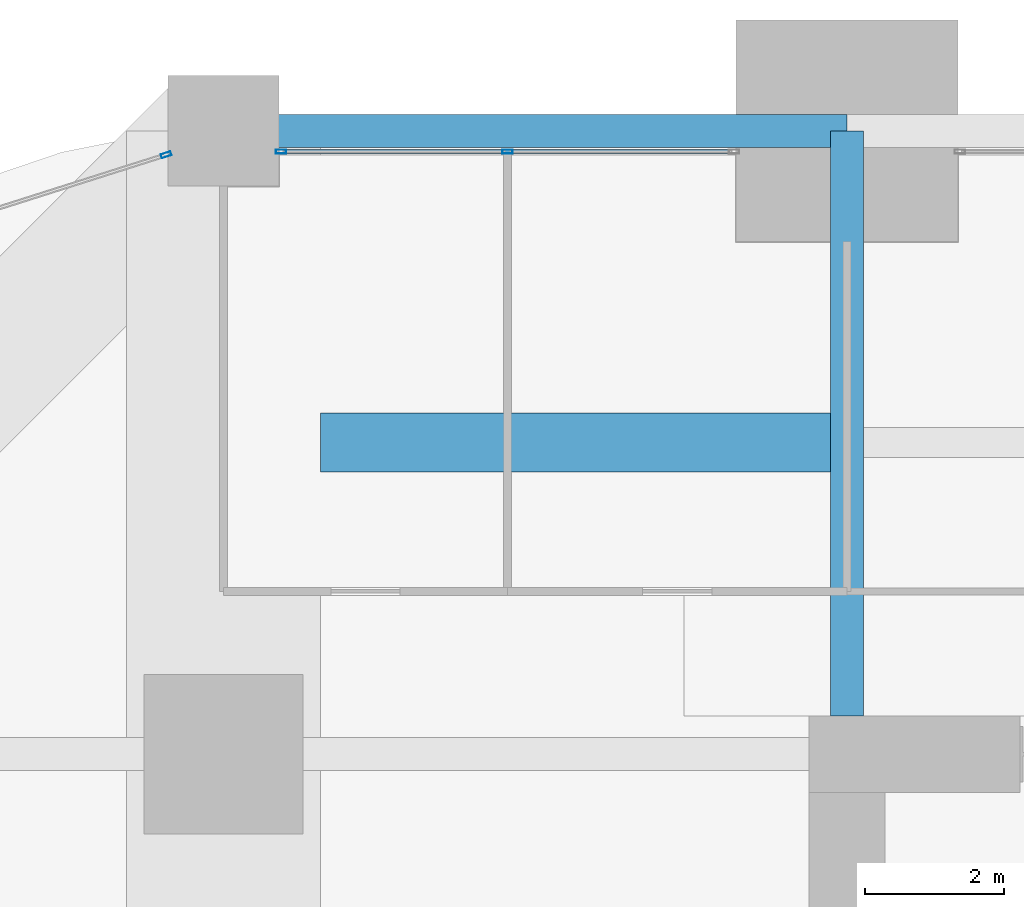
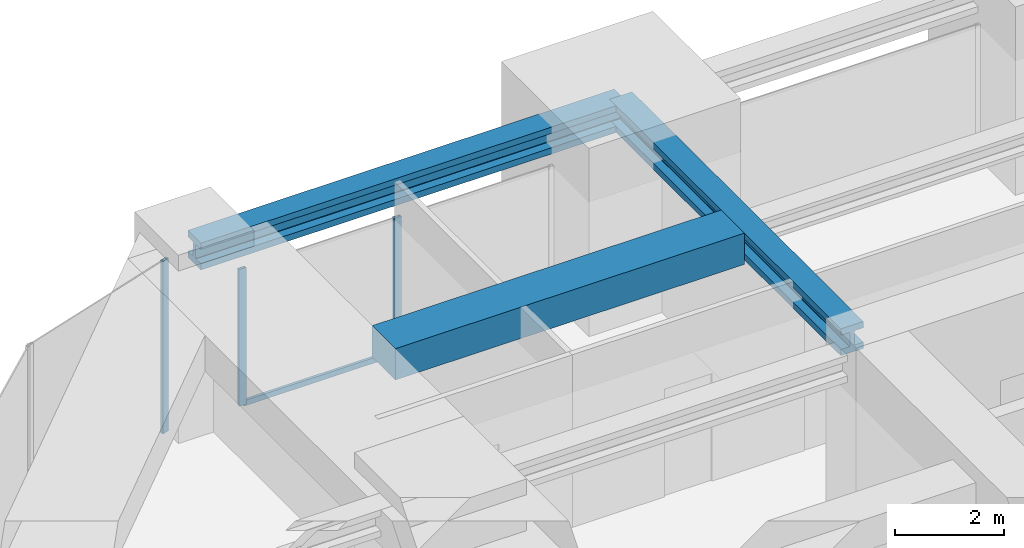
# One storey, part 28 of 39: 4 members, 3 beams, 2 elements without a shape of their own.
"""IFC4 building model written with IfcOpenShell, lengths in metres."""

from ifc_helpers import new_model, si_unit, direction, frame, origin, origin_2d, place, context, subcontext, project, spatial, rectangle, hollow_rectangle, i_section, extrude, material, material_profile, profile_set, type_object, element, aggregate, save


model = new_model("IFC4")

# Units and contexts
model_context = context("Model", 3, precision=1e-05, world=origin(), true_north=direction((0.0, 1.0)))
body_context = subcontext(model_context, "Body", "Model", "MODEL_VIEW")
ifc_project = project(units=[si_unit("LENGTHUNIT", "METRE"), si_unit("AREAUNIT", "SQUARE_METRE"), si_unit("VOLUMEUNIT", "CUBIC_METRE"), si_unit("PLANEANGLEUNIT", "RADIAN"), si_unit("MASSUNIT", "GRAM", prefix="KILO")], contexts=[model_context])

# Site, building, storey
site_placement = place(None, origin())
site = spatial("IfcSite", under=ifc_project, at=site_placement, CompositionType="ELEMENT")
building_placement = place(site_placement, origin())
building = spatial("IfcBuilding", under=site, at=building_placement, Name="Zorevar Civic Tower", CompositionType="ELEMENT")
storey_placement = place(building_placement, frame((0.0, 0.0, 230.199951171875)))
storey = spatial("IfcBuildingStorey", under=building, at=storey_placement, Name="L56", CompositionType="ELEMENT", Elevation=230.199951171875)

# Beams
ifc_material_1 = material(Name="Concrete C50/60", Category="concrete")
ifc_material_profile_1 = material_profile(ifc_material_1, rectangle(XDim=0.85009765625, YDim=0.699951171875, at=origin_2d()), Name="RC 850x700")
ifc_profile_set_1 = profile_set([ifc_material_profile_1], Name="Concrete C50/60")
beam_type_1 = type_object("IfcBeamType", Name="Beam RC 850x700", PredefinedType="BEAM", material=ifc_profile_set_1)
beam_1_placement = place(storey_placement, frame((10.39990234375, 40.5, 3.5), z_axis=(1.0, 0.0, 0.0), x_axis=(0.0, 1.0, 0.0)))
element("IfcBeam", 1, at=beam_1_placement, inside=storey, type_object=beam_type_1, Name="Secondary beam L57", PredefinedType="BEAM", context=body_context, shape_type="SweptSolid", body=[
    extrude(rectangle(XDim=0.85009765625, YDim=0.699951171875, at=origin_2d()), origin(), (0.0, 0.0, 1.0), 7.362060546875),
])
ifc_material_2 = material(Name="Steel S460M (HISTAR 460)", Category="steel")
ifc_material_profile_2 = material_profile(ifc_material_2, i_section(OverallWidth=0.47607421875, OverallDepth=0.60009765625, WebThickness=0.10009765625, FlangeThickness=0.139892578125, FilletRadius=0.014892578125, at=origin_2d()), Name="HD 400x1299")
ifc_profile_set_2 = profile_set([ifc_material_profile_2], Name="Steel S460M (HISTAR 460)")
beam_type_2 = type_object("IfcBeamType", Name="Belt chord HD 400x1299", PredefinedType="BEAM", material=ifc_profile_set_2)
beam_2_placement = place(storey_placement, frame((9.0, 45.0, 3.550048828125), z_axis=(1.0, 0.0, 0.0), x_axis=(0.0, 1.0, 0.0)))
element("IfcBeam", 2, at=beam_2_placement, inside=storey, type_object=beam_type_2, Name="Belt chord L57", PredefinedType="BEAM", context=body_context, shape_type="SweptSolid", body=[
    extrude(i_section(OverallWidth=0.47607421875, OverallDepth=0.60009765625, WebThickness=0.10009765625, FlangeThickness=0.139892578125, FilletRadius=0.014892578125, at=origin_2d()), origin(), (0.0, 0.0, 1.0), 9.0),
])

# Curtain wall, members
ifc_material_3 = material(Name="Dark grey solar-control glass in black aluminium frame", Category="aluminium")
curtain_wall_type = type_object("IfcCurtainWallType", Name="Curtain wall CW4 high zone", PredefinedType="NOTDEFINED", material=ifc_material_3)
curtain_wall_1_placement = place(storey_placement, origin())
curtain_wall_1 = element("IfcCurtainWall", 3, at=curtain_wall_1_placement, inside=storey, type_object=curtain_wall_type, Name="CW4 L56", PredefinedType="NOTDEFINED")
ifc_material_4 = material(Name="Aluminium, black anodised", Category="aluminium")
ifc_material_profile_3 = material_profile(ifc_material_4, hollow_rectangle(XDim=0.06005859375, YDim=0.14990234375, WallThickness=0.00390625, at=origin_2d()), Name="AL 150x60x4")
ifc_profile_set_3 = profile_set([ifc_material_profile_3], Name="Aluminium, black anodised")
member_type_1 = type_object("IfcMemberType", Name="CW4 mullion AL 150x60x4", PredefinedType="MULLION", material=ifc_profile_set_3)
member_1_placement = place(storey_placement, frame((9.830078125, 44.699951171875, 0.0), z_axis=(0.0, 0.0, 1.0), x_axis=(0.0, 1.0, 0.0)))
member_1 = element("IfcMember", 4, at=member_1_placement, type_object=member_type_1, Name="CW4 mullion 1", PredefinedType="MULLION", context=body_context, shape_type="SweptSolid", body=[
    extrude(hollow_rectangle(XDim=0.06005859375, YDim=0.14990234375, WallThickness=0.00390625, at=origin_2d()), origin(), (0.0, 0.0, 1.0), 3.050048828125),
])
member_2_placement = place(storey_placement, frame((13.10009765625, 44.699951171875, 0.06005859375), z_axis=(0.0, 0.0, 1.0), x_axis=(0.0, 1.0, 0.0)))
member_2 = element("IfcMember", 5, at=member_2_placement, type_object=member_type_1, Name="CW4 mullion 2", PredefinedType="MULLION", context=body_context, shape_type="SweptSolid", body=[
    extrude(hollow_rectangle(XDim=0.06005859375, YDim=0.14990234375, WallThickness=0.00390625, at=origin_2d()), origin(), (0.0, 0.0, 1.0), 2.989990234375),
])

# Curtain wall, member
curtain_wall_2_placement = place(storey_placement, origin())
curtain_wall_2 = element("IfcCurtainWall", 6, at=curtain_wall_2_placement, inside=storey, type_object=curtain_wall_type, Name="CW4 L56", PredefinedType="NOTDEFINED")
member_3_placement = place(storey_placement, frame((8.17138671875, 44.654052734375, 0.0), z_axis=(0.0, 0.0, 1.0), x_axis=(0.302858738154, -0.953035458272, 0.0)))
member_3 = element("IfcMember", 7, at=member_3_placement, type_object=member_type_1, Name="CW4 mullion 1", PredefinedType="MULLION", context=body_context, shape_type="SweptSolid", body=[
    extrude(hollow_rectangle(XDim=0.06005859375, YDim=0.14990234375, WallThickness=0.00390625, at=origin_2d()), origin(), (0.0, 0.0, 1.0), 3.85009765625),
])
aggregate(curtain_wall_2, [member_3])

# Member
ifc_material_5 = material(Name="Aluminium, black anodised", Category="aluminium")
ifc_material_profile_4 = material_profile(ifc_material_5, hollow_rectangle(XDim=0.06005859375, YDim=0.1201171875, WallThickness=0.0029296875, at=origin_2d()), Name="AL 120x60x3")
ifc_profile_set_4 = profile_set([ifc_material_profile_4], Name="Aluminium, black anodised")
member_type_2 = type_object("IfcMemberType", Name="CW4 transom AL 120x60x3", PredefinedType="USERDEFINED", material=ifc_profile_set_4)
member_4_placement = place(storey_placement, frame((9.860107421875, 44.699951171875, 0.030029296875), z_axis=(1.0, 0.0, 0.0), x_axis=(0.0, 1.0, 0.0)))
member_4 = element("IfcMember", 8, at=member_4_placement, type_object=member_type_2, Name="CW4 sill transom", ObjectType="TRANSOM", PredefinedType="USERDEFINED", context=body_context, shape_type="SweptSolid", body=[
    extrude(hollow_rectangle(XDim=0.06005859375, YDim=0.1201171875, WallThickness=0.0029296875, at=origin_2d()), origin(), (0.0, 0.0, 1.0), 6.47998046875),
])

aggregate(curtain_wall_1, [member_1, member_2, member_4])

# Beam
ifc_material_6 = material(Name="Steel S460M (HISTAR 460)", Category="steel")
ifc_material_profile_5 = material_profile(ifc_material_6, i_section(OverallWidth=0.47607421875, OverallDepth=0.60009765625, WebThickness=0.10009765625, FlangeThickness=0.139892578125, FilletRadius=0.014892578125, at=origin_2d()), Name="HD 400x1299")
ifc_profile_set_5 = profile_set([ifc_material_profile_5], Name="Steel S460M (HISTAR 460)")
beam_type_3 = type_object("IfcBeamType", Name="Outrigger chord HD 400x1299", PredefinedType="BEAM", material=ifc_profile_set_5)
beam_3_placement = place(storey_placement, frame((18.0, 36.550048828125, 3.550048828125), z_axis=(0.0, 1.0, 0.0), x_axis=(-1.0, 0.0, 0.0)))
element("IfcBeam", 9, at=beam_3_placement, inside=storey, type_object=beam_type_3, Name="Outrigger chord L57", PredefinedType="BEAM", context=body_context, shape_type="SweptSolid", body=[
    extrude(i_section(OverallWidth=0.47607421875, OverallDepth=0.60009765625, WebThickness=0.10009765625, FlangeThickness=0.139892578125, FilletRadius=0.014892578125, at=origin_2d()), origin(), (0.0, 0.0, 1.0), 8.449951171875),
])

save(model, "model.ifc")
